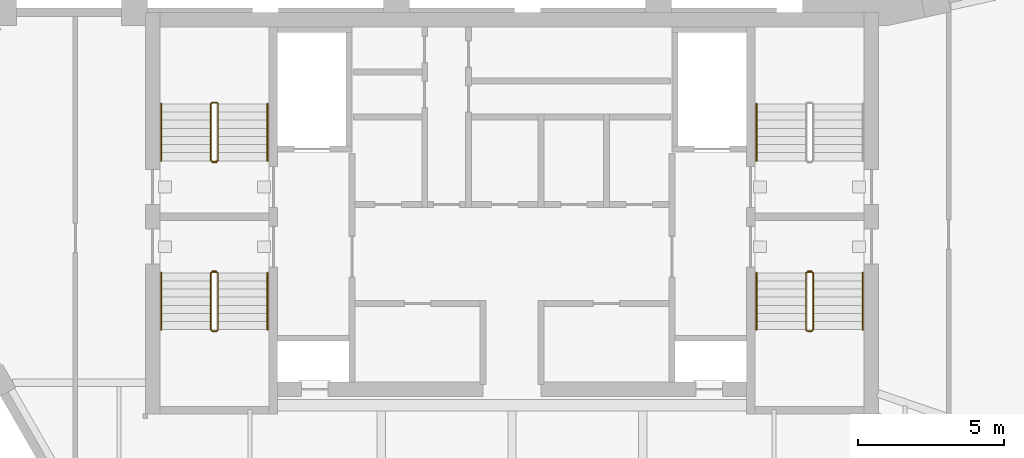
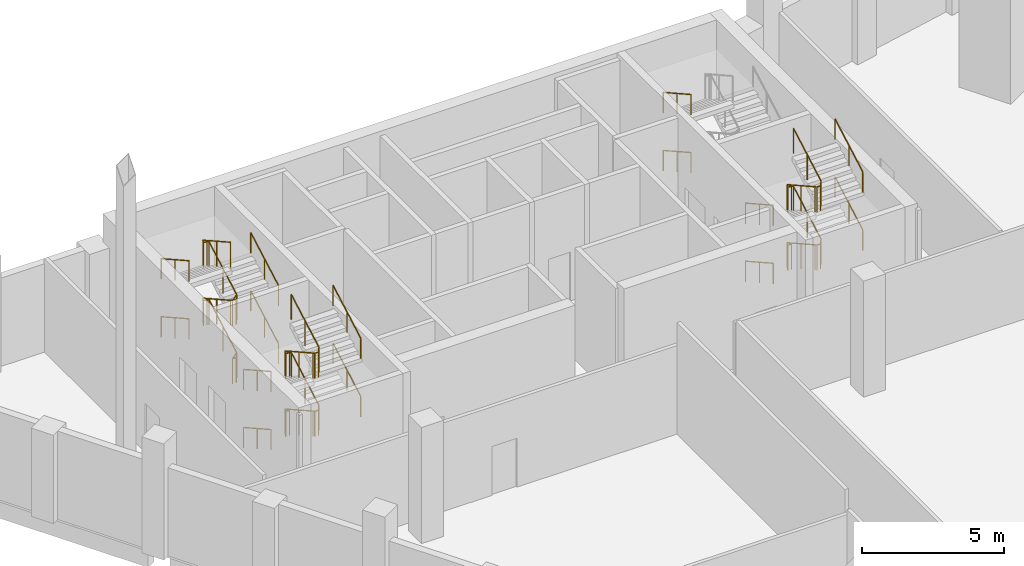
# One storey, part 10 of 11: 17 railings.
"""IFC4 building model written with IfcOpenShell, lengths in metres."""

from ifc_helpers import new_model, si_unit, direction, frame, origin, origin_2d, place, context, subcontext, project, spatial, circle, extrude, material, type_object, element, save


model = new_model("IFC4")

# Units and contexts
model_context = context("Model", 3, precision=1e-05, world=origin(), true_north=direction((0.0, 1.0)))
body_context = subcontext(model_context, "Body", "Model", "MODEL_VIEW")
ifc_project = project(units=[si_unit("LENGTHUNIT", "METRE"), si_unit("AREAUNIT", "SQUARE_METRE"), si_unit("VOLUMEUNIT", "CUBIC_METRE"), si_unit("PLANEANGLEUNIT", "RADIAN"), si_unit("MASSUNIT", "GRAM", prefix="KILO")], contexts=[model_context])

# Site, building, storey
site_placement = place(None, origin())
site = spatial("IfcSite", under=ifc_project, at=site_placement, CompositionType="ELEMENT")
building_placement = place(site_placement, origin())
building = spatial("IfcBuilding", under=site, at=building_placement, Name="Calabash Gate Tower", CompositionType="ELEMENT")
storey_placement = place(building_placement, frame((0.0, 0.0, 310.5)))
storey = spatial("IfcBuildingStorey", under=building, at=storey_placement, Name="L73", CompositionType="ELEMENT", Elevation=310.5)

# Railings
ifc_material_1 = material(Name="Black powder-coated steel balusters", Category="steel")
railing_type_1 = type_object("IfcRailingType", Name="Stair guard RL1100", PredefinedType="GUARDRAIL", material=ifc_material_1)
railing_1_placement = place(storey_placement, frame((-10.14990234375, 13.902587890625, 0.0)))
element("IfcRailing", 1, at=railing_1_placement, inside=storey, type_object=railing_type_1, Name="L73 ST1 stair guard 1", PredefinedType="GUARDRAIL", context=body_context, shape_type="SweptSolid", body=[
    extrude(circle(Radius=0.02392578125, at=origin_2d()), frame((0.0, 0.0, 1.076171875), z_axis=(-1.0, 0.0, 0.0), x_axis=(0.0, -1.0, 0.0)), (0.0, 0.0, 1.0), 0.150146484375),
    extrude(circle(Radius=0.02392578125, at=origin_2d()), frame((-0.150146484375, 0.0, 1.076171875), z_axis=(0.77305925043, 0.19350078918, 0.604100024756), x_axis=(-0.242814311512, 0.970072785993, 0.0)), (0.0, 0.0, 1.0), 0.258544921875),
    extrude(circle(Radius=0.02392578125, at=origin_2d()), frame((0.0498046875, 0.050048828125, 1.232421875), z_axis=(0.0, 0.872479975208, 0.48864986735), x_axis=(-1.0, 0.0, 0.0)), (0.0, 0.0, 1.0), 2.23828125),
    extrude(circle(Radius=0.02392578125, at=origin_2d()), frame((0.0498046875, 2.0029296875, 2.326171875), z_axis=(-0.705375805398, 0.708833529934, 0.0), x_axis=(-0.708833529934, -0.705375805398, 0.0)), (0.0, 0.0, 1.0), 0.070556640625),
    extrude(circle(Radius=0.02392578125, at=origin_2d()), frame((0.0, 2.052978515625, 2.326171875), z_axis=(-1.0, 0.0, 0.0), x_axis=(0.0, -1.0, 0.0)), (0.0, 0.0, 1.0), 0.150146484375),
    extrude(circle(Radius=0.02392578125, at=origin_2d()), frame((-0.150146484375, 2.052978515625, 2.326171875), z_axis=(-0.29177245553, -0.29177245553, 0.91089937336), x_axis=(0.707106781187, -0.707106781187, 0.0)), (0.0, 0.0, 1.0), 0.171630859375),
    extrude(circle(Radius=0.02392578125, at=origin_2d()), frame((-0.2001953125, 2.0029296875, 2.482421875), z_axis=(0.0, -0.872479975208, 0.48864986735), x_axis=(1.0, 0.0, 0.0)), (0.0, 0.0, 1.0), 2.23828125),
    extrude(circle(Radius=0.02392578125, at=origin_2d()), frame((-0.2001953125, 0.050048828125, 3.576171875), z_axis=(0.970142500145, -0.242535625036, 0.0), x_axis=(0.242535625036, 0.970142500145, 0.0)), (0.0, 0.0, 1.0), 0.206298828125),
    extrude(circle(Radius=0.02392578125, at=origin_2d()), frame((0.0, 0.0, 3.576171875), z_axis=(-1.0, 0.0, 0.0), x_axis=(0.0, -1.0, 0.0)), (0.0, 0.0, 1.0), 0.150146484375),
    extrude(circle(Radius=0.02392578125, at=origin_2d()), frame((-0.150146484375, 0.0, 3.576171875), z_axis=(0.77305925043, 0.19350078918, 0.604100024756), x_axis=(-0.242814311512, 0.970072785993, 0.0)), (0.0, 0.0, 1.0), 0.258544921875),
    extrude(circle(Radius=0.02392578125, at=origin_2d()), frame((0.0498046875, 0.050048828125, 3.732421875), z_axis=(0.0, 0.872479975208, 0.48864986735), x_axis=(-1.0, 0.0, 0.0)), (0.0, 0.0, 1.0), 2.23828125),
    extrude(circle(Radius=0.02392578125, at=origin_2d()), frame((0.0498046875, 2.0029296875, 4.826171875), z_axis=(-0.705375805398, 0.708833529934, 0.0), x_axis=(-0.708833529934, -0.705375805398, 0.0)), (0.0, 0.0, 1.0), 0.070556640625),
    extrude(circle(Radius=0.02392578125, at=origin_2d()), frame((0.0, 2.052978515625, 4.826171875), z_axis=(-1.0, 0.0, 0.0), x_axis=(0.0, -1.0, 0.0)), (0.0, 0.0, 1.0), 0.150146484375),
    extrude(circle(Radius=0.02392578125, at=origin_2d()), frame((-0.150146484375, 2.052978515625, 4.826171875), z_axis=(-0.29177245553, -0.29177245553, 0.91089937336), x_axis=(0.707106781187, -0.707106781187, 0.0)), (0.0, 0.0, 1.0), 0.171630859375),
    extrude(circle(Radius=0.02392578125, at=origin_2d()), frame((-0.2001953125, 2.0029296875, 4.982421875), z_axis=(0.0, -0.872479975208, 0.48864986735), x_axis=(1.0, 0.0, 0.0)), (0.0, 0.0, 1.0), 2.23828125),
    extrude(circle(Radius=0.02099609375, at=origin_2d()), origin(), (0.0, 0.0, 1.0), 1.052001953125),
    extrude(circle(Radius=0.02099609375, at=origin_2d()), frame((-0.150146484375, 0.0, 0.0)), (0.0, 0.0, 1.0), 1.052001953125),
    extrude(circle(Radius=0.02099609375, at=origin_2d()), frame((0.0498046875, 0.050048828125, 0.15625)), (0.0, 0.0, 1.0), 1.052001953125),
    extrude(circle(Radius=0.02099609375, at=origin_2d()), frame((0.0498046875, 1.0263671875, 0.703125)), (0.0, 0.0, 1.0), 1.052001953125),
    extrude(circle(Radius=0.02099609375, at=origin_2d()), frame((0.0498046875, 2.0029296875, 1.25)), (0.0, 0.0, 1.0), 1.052001953125),
    extrude(circle(Radius=0.02099609375, at=origin_2d()), frame((0.0, 2.052978515625, 1.25)), (0.0, 0.0, 1.0), 1.052001953125),
    extrude(circle(Radius=0.02099609375, at=origin_2d()), frame((-0.150146484375, 2.052978515625, 1.25)), (0.0, 0.0, 1.0), 1.052001953125),
    extrude(circle(Radius=0.02099609375, at=origin_2d()), frame((-0.2001953125, 2.0029296875, 1.40625)), (0.0, 0.0, 1.0), 1.052001953125),
    extrude(circle(Radius=0.02099609375, at=origin_2d()), frame((-0.2001953125, 1.0263671875, 1.953125)), (0.0, 0.0, 1.0), 1.052001953125),
    extrude(circle(Radius=0.02099609375, at=origin_2d()), frame((-0.2001953125, 0.050048828125, 2.5)), (0.0, 0.0, 1.0), 1.052001953125),
    extrude(circle(Radius=0.02099609375, at=origin_2d()), frame((0.0, 0.0, 2.5)), (0.0, 0.0, 1.0), 1.052001953125),
    extrude(circle(Radius=0.02099609375, at=origin_2d()), frame((-0.150146484375, 0.0, 2.5)), (0.0, 0.0, 1.0), 1.052001953125),
    extrude(circle(Radius=0.02099609375, at=origin_2d()), frame((0.0498046875, 0.050048828125, 2.65625)), (0.0, 0.0, 1.0), 1.052001953125),
    extrude(circle(Radius=0.02099609375, at=origin_2d()), frame((0.0498046875, 1.0263671875, 3.203125)), (0.0, 0.0, 1.0), 1.052001953125),
    extrude(circle(Radius=0.02099609375, at=origin_2d()), frame((0.0498046875, 2.0029296875, 3.75)), (0.0, 0.0, 1.0), 1.052001953125),
    extrude(circle(Radius=0.02099609375, at=origin_2d()), frame((0.0, 2.052978515625, 3.75)), (0.0, 0.0, 1.0), 1.052001953125),
    extrude(circle(Radius=0.02099609375, at=origin_2d()), frame((-0.150146484375, 2.052978515625, 3.75)), (0.0, 0.0, 1.0), 1.052001953125),
    extrude(circle(Radius=0.02099609375, at=origin_2d()), frame((-0.2001953125, 2.0029296875, 3.90625)), (0.0, 0.0, 1.0), 1.052001953125),
    extrude(circle(Radius=0.02099609375, at=origin_2d()), frame((-0.2001953125, 1.0263671875, 4.453125)), (0.0, 0.0, 1.0), 1.052001953125),
    extrude(circle(Radius=0.02099609375, at=origin_2d()), frame((-0.2001953125, 0.050048828125, 5.0)), (0.0, 0.0, 1.0), 1.052001953125),
])
railing_2_placement = place(storey_placement, frame((-10.300048828125, 10.152587890625, 0.0)))
element("IfcRailing", 2, at=railing_2_placement, inside=storey, type_object=railing_type_1, Name="L73 ST2 stair guard 1", PredefinedType="GUARDRAIL", context=body_context, shape_type="SweptSolid", body=[
    extrude(circle(Radius=0.02392578125, at=origin_2d()), frame((0.0, 0.0, 1.076171875), z_axis=(1.0, 0.0, 0.0), x_axis=(0.0, 1.0, 0.0)), (0.0, 0.0, 1.0), 0.150146484375),
    extrude(circle(Radius=0.02392578125, at=origin_2d()), frame((0.150146484375, 0.0, 1.076171875), z_axis=(-0.773438643492, -0.193359660873, 0.603659429067), x_axis=(0.242535625036, -0.970142500145, 0.0)), (0.0, 0.0, 1.0), 0.2587890625),
    extrude(circle(Radius=0.02392578125, at=origin_2d()), frame((-0.050048828125, -0.050048828125, 1.232421875), z_axis=(0.0, -0.872479975208, 0.48864986735), x_axis=(1.0, 0.0, 0.0)), (0.0, 0.0, 1.0), 2.23828125),
    extrude(circle(Radius=0.02392578125, at=origin_2d()), frame((-0.050048828125, -2.0029296875, 2.326171875), z_axis=(0.707106781187, -0.707106781187, 0.0), x_axis=(0.707106781187, 0.707106781187, 0.0)), (0.0, 0.0, 1.0), 0.07080078125),
    extrude(circle(Radius=0.02392578125, at=origin_2d()), frame((0.0, -2.052978515625, 2.326171875), z_axis=(1.0, 0.0, 0.0), x_axis=(0.0, 1.0, 0.0)), (0.0, 0.0, 1.0), 0.150146484375),
    extrude(circle(Radius=0.02392578125, at=origin_2d()), frame((0.150146484375, -2.052978515625, 2.326171875), z_axis=(0.290469530425, 0.291893400672, 0.911276958196), x_axis=(-0.708833529934, 0.705375805398, 0.0)), (0.0, 0.0, 1.0), 0.17138671875),
    extrude(circle(Radius=0.02392578125, at=origin_2d()), frame((0.199951171875, -2.0029296875, 2.482421875), z_axis=(0.0, 0.872479975208, 0.48864986735), x_axis=(-1.0, 0.0, 0.0)), (0.0, 0.0, 1.0), 2.23828125),
    extrude(circle(Radius=0.02392578125, at=origin_2d()), frame((0.199951171875, -0.050048828125, 3.576171875), z_axis=(-0.970072785993, 0.242814311512, 0.0), x_axis=(-0.242814311512, -0.970072785993, 0.0)), (0.0, 0.0, 1.0), 0.2060546875),
    extrude(circle(Radius=0.02392578125, at=origin_2d()), frame((0.0, 0.0, 3.576171875), z_axis=(1.0, 0.0, 0.0), x_axis=(0.0, 1.0, 0.0)), (0.0, 0.0, 1.0), 0.150146484375),
    extrude(circle(Radius=0.02392578125, at=origin_2d()), frame((0.150146484375, 0.0, 3.576171875), z_axis=(-0.773438643492, -0.193359660873, 0.603659429067), x_axis=(0.242535625036, -0.970142500145, 0.0)), (0.0, 0.0, 1.0), 0.2587890625),
    extrude(circle(Radius=0.02392578125, at=origin_2d()), frame((-0.050048828125, -0.050048828125, 3.732421875), z_axis=(0.0, -0.872479975208, 0.48864986735), x_axis=(1.0, 0.0, 0.0)), (0.0, 0.0, 1.0), 2.23828125),
    extrude(circle(Radius=0.02392578125, at=origin_2d()), frame((-0.050048828125, -2.0029296875, 4.826171875), z_axis=(0.707106781187, -0.707106781187, 0.0), x_axis=(0.707106781187, 0.707106781187, 0.0)), (0.0, 0.0, 1.0), 0.07080078125),
    extrude(circle(Radius=0.02392578125, at=origin_2d()), frame((0.0, -2.052978515625, 4.826171875), z_axis=(1.0, 0.0, 0.0), x_axis=(0.0, 1.0, 0.0)), (0.0, 0.0, 1.0), 0.150146484375),
    extrude(circle(Radius=0.02392578125, at=origin_2d()), frame((0.150146484375, -2.052978515625, 4.826171875), z_axis=(0.290469530425, 0.291893400672, 0.911276958196), x_axis=(-0.708833529934, 0.705375805398, 0.0)), (0.0, 0.0, 1.0), 0.17138671875),
    extrude(circle(Radius=0.02392578125, at=origin_2d()), frame((0.199951171875, -2.0029296875, 4.982421875), z_axis=(0.0, 0.872479975208, 0.48864986735), x_axis=(-1.0, 0.0, 0.0)), (0.0, 0.0, 1.0), 2.23828125),
    extrude(circle(Radius=0.02099609375, at=origin_2d()), origin(), (0.0, 0.0, 1.0), 1.052001953125),
    extrude(circle(Radius=0.02099609375, at=origin_2d()), frame((0.150146484375, 0.0, 0.0)), (0.0, 0.0, 1.0), 1.052001953125),
    extrude(circle(Radius=0.02099609375, at=origin_2d()), frame((-0.050048828125, -0.050048828125, 0.15625)), (0.0, 0.0, 1.0), 1.052001953125),
    extrude(circle(Radius=0.02099609375, at=origin_2d()), frame((-0.050048828125, -1.0263671875, 0.703125)), (0.0, 0.0, 1.0), 1.052001953125),
    extrude(circle(Radius=0.02099609375, at=origin_2d()), frame((-0.050048828125, -2.0029296875, 1.25)), (0.0, 0.0, 1.0), 1.052001953125),
    extrude(circle(Radius=0.02099609375, at=origin_2d()), frame((0.0, -2.052978515625, 1.25)), (0.0, 0.0, 1.0), 1.052001953125),
    extrude(circle(Radius=0.02099609375, at=origin_2d()), frame((0.150146484375, -2.052978515625, 1.25)), (0.0, 0.0, 1.0), 1.052001953125),
    extrude(circle(Radius=0.02099609375, at=origin_2d()), frame((0.199951171875, -2.0029296875, 1.40625)), (0.0, 0.0, 1.0), 1.052001953125),
    extrude(circle(Radius=0.02099609375, at=origin_2d()), frame((0.199951171875, -1.0263671875, 1.953125)), (0.0, 0.0, 1.0), 1.052001953125),
    extrude(circle(Radius=0.02099609375, at=origin_2d()), frame((0.199951171875, -0.050048828125, 2.5)), (0.0, 0.0, 1.0), 1.052001953125),
    extrude(circle(Radius=0.02099609375, at=origin_2d()), frame((0.0, 0.0, 2.5)), (0.0, 0.0, 1.0), 1.052001953125),
    extrude(circle(Radius=0.02099609375, at=origin_2d()), frame((0.150146484375, 0.0, 2.5)), (0.0, 0.0, 1.0), 1.052001953125),
    extrude(circle(Radius=0.02099609375, at=origin_2d()), frame((-0.050048828125, -0.050048828125, 2.65625)), (0.0, 0.0, 1.0), 1.052001953125),
    extrude(circle(Radius=0.02099609375, at=origin_2d()), frame((-0.050048828125, -1.0263671875, 3.203125)), (0.0, 0.0, 1.0), 1.052001953125),
    extrude(circle(Radius=0.02099609375, at=origin_2d()), frame((-0.050048828125, -2.0029296875, 3.75)), (0.0, 0.0, 1.0), 1.052001953125),
    extrude(circle(Radius=0.02099609375, at=origin_2d()), frame((0.0, -2.052978515625, 3.75)), (0.0, 0.0, 1.0), 1.052001953125),
    extrude(circle(Radius=0.02099609375, at=origin_2d()), frame((0.150146484375, -2.052978515625, 3.75)), (0.0, 0.0, 1.0), 1.052001953125),
    extrude(circle(Radius=0.02099609375, at=origin_2d()), frame((0.199951171875, -2.0029296875, 3.90625)), (0.0, 0.0, 1.0), 1.052001953125),
    extrude(circle(Radius=0.02099609375, at=origin_2d()), frame((0.199951171875, -1.0263671875, 4.453125)), (0.0, 0.0, 1.0), 1.052001953125),
    extrude(circle(Radius=0.02099609375, at=origin_2d()), frame((0.199951171875, -0.050048828125, 5.0)), (0.0, 0.0, 1.0), 1.052001953125),
])
railing_3_placement = place(storey_placement, frame((10.14990234375, 10.152587890625, 0.0)))
element("IfcRailing", 3, at=railing_3_placement, inside=storey, type_object=railing_type_1, Name="L73 ST4 stair guard 1", PredefinedType="GUARDRAIL", context=body_context, shape_type="SweptSolid", body=[
    extrude(circle(Radius=0.02392578125, at=origin_2d()), frame((0.0, 0.0, 1.076171875), z_axis=(1.0, 0.0, 0.0), x_axis=(0.0, 1.0, 0.0)), (0.0, 0.0, 1.0), 0.150146484375),
    extrude(circle(Radius=0.02392578125, at=origin_2d()), frame((0.150146484375, 0.0, 1.076171875), z_axis=(-0.77305925043, -0.19350078918, 0.604100024756), x_axis=(0.242814311512, -0.970072785993, 0.0)), (0.0, 0.0, 1.0), 0.258544921875),
    extrude(circle(Radius=0.02392578125, at=origin_2d()), frame((-0.0498046875, -0.050048828125, 1.232421875), z_axis=(0.0, -0.872479975208, 0.48864986735), x_axis=(1.0, 0.0, 0.0)), (0.0, 0.0, 1.0), 2.23828125),
    extrude(circle(Radius=0.02392578125, at=origin_2d()), frame((-0.0498046875, -2.0029296875, 2.326171875), z_axis=(0.705375805398, -0.708833529934, 0.0), x_axis=(0.708833529934, 0.705375805398, 0.0)), (0.0, 0.0, 1.0), 0.070556640625),
    extrude(circle(Radius=0.02392578125, at=origin_2d()), frame((0.0, -2.052978515625, 2.326171875), z_axis=(1.0, 0.0, 0.0), x_axis=(0.0, 1.0, 0.0)), (0.0, 0.0, 1.0), 0.150146484375),
    extrude(circle(Radius=0.02392578125, at=origin_2d()), frame((0.150146484375, -2.052978515625, 2.326171875), z_axis=(0.29177245553, 0.29177245553, 0.91089937336), x_axis=(-0.707106781187, 0.707106781187, 0.0)), (0.0, 0.0, 1.0), 0.171630859375),
    extrude(circle(Radius=0.02392578125, at=origin_2d()), frame((0.2001953125, -2.0029296875, 2.482421875), z_axis=(0.0, 0.872479975208, 0.48864986735), x_axis=(-1.0, 0.0, 0.0)), (0.0, 0.0, 1.0), 2.23828125),
    extrude(circle(Radius=0.02392578125, at=origin_2d()), frame((0.2001953125, -0.050048828125, 3.576171875), z_axis=(-0.970142500145, 0.242535625036, 0.0), x_axis=(-0.242535625036, -0.970142500145, 0.0)), (0.0, 0.0, 1.0), 0.206298828125),
    extrude(circle(Radius=0.02392578125, at=origin_2d()), frame((0.0, 0.0, 3.576171875), z_axis=(1.0, 0.0, 0.0), x_axis=(0.0, 1.0, 0.0)), (0.0, 0.0, 1.0), 0.150146484375),
    extrude(circle(Radius=0.02392578125, at=origin_2d()), frame((0.150146484375, 0.0, 3.576171875), z_axis=(-0.77305925043, -0.19350078918, 0.604100024756), x_axis=(0.242814311512, -0.970072785993, 0.0)), (0.0, 0.0, 1.0), 0.258544921875),
    extrude(circle(Radius=0.02392578125, at=origin_2d()), frame((-0.0498046875, -0.050048828125, 3.732421875), z_axis=(0.0, -0.872479975208, 0.48864986735), x_axis=(1.0, 0.0, 0.0)), (0.0, 0.0, 1.0), 2.23828125),
    extrude(circle(Radius=0.02392578125, at=origin_2d()), frame((-0.0498046875, -2.0029296875, 4.826171875), z_axis=(0.705375805398, -0.708833529934, 0.0), x_axis=(0.708833529934, 0.705375805398, 0.0)), (0.0, 0.0, 1.0), 0.070556640625),
    extrude(circle(Radius=0.02392578125, at=origin_2d()), frame((0.0, -2.052978515625, 4.826171875), z_axis=(1.0, 0.0, 0.0), x_axis=(0.0, 1.0, 0.0)), (0.0, 0.0, 1.0), 0.150146484375),
    extrude(circle(Radius=0.02392578125, at=origin_2d()), frame((0.150146484375, -2.052978515625, 4.826171875), z_axis=(0.29177245553, 0.29177245553, 0.91089937336), x_axis=(-0.707106781187, 0.707106781187, 0.0)), (0.0, 0.0, 1.0), 0.171630859375),
    extrude(circle(Radius=0.02392578125, at=origin_2d()), frame((0.2001953125, -2.0029296875, 4.982421875), z_axis=(0.0, 0.872479975208, 0.48864986735), x_axis=(-1.0, 0.0, 0.0)), (0.0, 0.0, 1.0), 2.23828125),
    extrude(circle(Radius=0.02099609375, at=origin_2d()), origin(), (0.0, 0.0, 1.0), 1.052001953125),
    extrude(circle(Radius=0.02099609375, at=origin_2d()), frame((0.150146484375, 0.0, 0.0)), (0.0, 0.0, 1.0), 1.052001953125),
    extrude(circle(Radius=0.02099609375, at=origin_2d()), frame((-0.0498046875, -0.050048828125, 0.15625)), (0.0, 0.0, 1.0), 1.052001953125),
    extrude(circle(Radius=0.02099609375, at=origin_2d()), frame((-0.0498046875, -1.0263671875, 0.703125)), (0.0, 0.0, 1.0), 1.052001953125),
    extrude(circle(Radius=0.02099609375, at=origin_2d()), frame((-0.0498046875, -2.0029296875, 1.25)), (0.0, 0.0, 1.0), 1.052001953125),
    extrude(circle(Radius=0.02099609375, at=origin_2d()), frame((0.0, -2.052978515625, 1.25)), (0.0, 0.0, 1.0), 1.052001953125),
    extrude(circle(Radius=0.02099609375, at=origin_2d()), frame((0.150146484375, -2.052978515625, 1.25)), (0.0, 0.0, 1.0), 1.052001953125),
    extrude(circle(Radius=0.02099609375, at=origin_2d()), frame((0.2001953125, -2.0029296875, 1.40625)), (0.0, 0.0, 1.0), 1.052001953125),
    extrude(circle(Radius=0.02099609375, at=origin_2d()), frame((0.2001953125, -1.0263671875, 1.953125)), (0.0, 0.0, 1.0), 1.052001953125),
    extrude(circle(Radius=0.02099609375, at=origin_2d()), frame((0.2001953125, -0.050048828125, 2.5)), (0.0, 0.0, 1.0), 1.052001953125),
    extrude(circle(Radius=0.02099609375, at=origin_2d()), frame((0.0, 0.0, 2.5)), (0.0, 0.0, 1.0), 1.052001953125),
    extrude(circle(Radius=0.02099609375, at=origin_2d()), frame((0.150146484375, 0.0, 2.5)), (0.0, 0.0, 1.0), 1.052001953125),
    extrude(circle(Radius=0.02099609375, at=origin_2d()), frame((-0.0498046875, -0.050048828125, 2.65625)), (0.0, 0.0, 1.0), 1.052001953125),
    extrude(circle(Radius=0.02099609375, at=origin_2d()), frame((-0.0498046875, -1.0263671875, 3.203125)), (0.0, 0.0, 1.0), 1.052001953125),
    extrude(circle(Radius=0.02099609375, at=origin_2d()), frame((-0.0498046875, -2.0029296875, 3.75)), (0.0, 0.0, 1.0), 1.052001953125),
    extrude(circle(Radius=0.02099609375, at=origin_2d()), frame((0.0, -2.052978515625, 3.75)), (0.0, 0.0, 1.0), 1.052001953125),
    extrude(circle(Radius=0.02099609375, at=origin_2d()), frame((0.150146484375, -2.052978515625, 3.75)), (0.0, 0.0, 1.0), 1.052001953125),
    extrude(circle(Radius=0.02099609375, at=origin_2d()), frame((0.2001953125, -2.0029296875, 3.90625)), (0.0, 0.0, 1.0), 1.052001953125),
    extrude(circle(Radius=0.02099609375, at=origin_2d()), frame((0.2001953125, -1.0263671875, 4.453125)), (0.0, 0.0, 1.0), 1.052001953125),
    extrude(circle(Radius=0.02099609375, at=origin_2d()), frame((0.2001953125, -0.050048828125, 5.0)), (0.0, 0.0, 1.0), 1.052001953125),
])
ifc_material_2 = material(Name="Black powder-coated steel tube 48 mm", Category="steel")
railing_type_2 = type_object("IfcRailingType", Name="Stair handrail RL900", PredefinedType="HANDRAIL", material=ifc_material_2)
railing_4_placement = place(storey_placement, frame((-8.39990234375, 13.95263671875, 0.15625)))
element("IfcRailing", 4, at=railing_4_placement, inside=storey, type_object=railing_type_2, Name="L73 ST1 stair handrail 1", PredefinedType="HANDRAIL", context=body_context, shape_type="SweptSolid", body=[
    extrude(circle(Radius=0.02392578125, at=origin_2d()), frame((0.0, 0.0, 0.8759765625), z_axis=(0.0, 0.872479975208, 0.48864986735), x_axis=(-1.0, 0.0, 0.0)), (0.0, 0.0, 1.0), 2.23828125),
    extrude(circle(Radius=0.02099609375, at=origin_2d()), origin(), (0.0, 0.0, 1.0), 0.851806640625),
    extrude(circle(Radius=0.02099609375, at=origin_2d()), frame((0.0, 0.9765625, 0.546875)), (0.0, 0.0, 1.0), 0.851806640625),
    extrude(circle(Radius=0.02099609375, at=origin_2d()), frame((0.0, 1.952880859375, 1.09375)), (0.0, 0.0, 1.0), 0.851806640625),
])
railing_5_placement = place(storey_placement, frame((-12.050048828125, 15.905517578125, 1.40625)))
element("IfcRailing", 5, at=railing_5_placement, inside=storey, type_object=railing_type_2, Name="L73 ST1 stair handrail 2", PredefinedType="HANDRAIL", context=body_context, shape_type="SweptSolid", body=[
    extrude(circle(Radius=0.02392578125, at=origin_2d()), frame((0.0, 0.0, 0.8759765625), z_axis=(0.0, -0.872479975208, 0.48864986735), x_axis=(1.0, 0.0, 0.0)), (0.0, 0.0, 1.0), 2.23828125),
    extrude(circle(Radius=0.02099609375, at=origin_2d()), origin(), (0.0, 0.0, 1.0), 0.851806640625),
    extrude(circle(Radius=0.02099609375, at=origin_2d()), frame((0.0, -0.9765625, 0.546875)), (0.0, 0.0, 1.0), 0.851806640625),
    extrude(circle(Radius=0.02099609375, at=origin_2d()), frame((0.0, -1.952880859375, 1.09375)), (0.0, 0.0, 1.0), 0.851806640625),
])
railing_6_placement = place(storey_placement, frame((-8.39990234375, 13.95263671875, 2.65625)))
element("IfcRailing", 6, at=railing_6_placement, inside=storey, type_object=railing_type_2, Name="L73 ST1 stair handrail 3", PredefinedType="HANDRAIL", context=body_context, shape_type="SweptSolid", body=[
    extrude(circle(Radius=0.02392578125, at=origin_2d()), frame((0.0, 0.0, 0.8759765625), z_axis=(0.0, 0.872479975208, 0.48864986735), x_axis=(-1.0, 0.0, 0.0)), (0.0, 0.0, 1.0), 2.23828125),
    extrude(circle(Radius=0.02099609375, at=origin_2d()), origin(), (0.0, 0.0, 1.0), 0.851806640625),
    extrude(circle(Radius=0.02099609375, at=origin_2d()), frame((0.0, 0.9765625, 0.546875)), (0.0, 0.0, 1.0), 0.851806640625),
    extrude(circle(Radius=0.02099609375, at=origin_2d()), frame((0.0, 1.952880859375, 1.09375)), (0.0, 0.0, 1.0), 0.851806640625),
])
for number, where, name in (
    (7, (-12.050048828125, 15.905517578125, 3.90625), "L73 ST1 stair handrail 4"),
    (8, (-12.050048828125, 10.1025390625, 0.15625), "L73 ST2 stair handrail 1"),
):
    element("IfcRailing", number, at=place(storey_placement, frame(where)), inside=storey, type_object=railing_type_2, Name=name, PredefinedType="HANDRAIL", context=body_context, shape_type="SweptSolid", body=[
        extrude(circle(Radius=0.02392578125, at=origin_2d()), frame((0.0, 0.0, 0.8759765625), z_axis=(0.0, -0.872479975208, 0.48864986735), x_axis=(1.0, 0.0, 0.0)), (0.0, 0.0, 1.0), 2.23828125),
        extrude(circle(Radius=0.02099609375, at=origin_2d()), origin(), (0.0, 0.0, 1.0), 0.851806640625),
        extrude(circle(Radius=0.02099609375, at=origin_2d()), frame((0.0, -0.9765625, 0.546875)), (0.0, 0.0, 1.0), 0.851806640625),
        extrude(circle(Radius=0.02099609375, at=origin_2d()), frame((0.0, -1.952880859375, 1.09375)), (0.0, 0.0, 1.0), 0.851806640625),
    ])
railing_7_placement = place(storey_placement, frame((-8.39990234375, 8.149658203125, 1.40625)))
element("IfcRailing", 9, at=railing_7_placement, inside=storey, type_object=railing_type_2, Name="L73 ST2 stair handrail 2", PredefinedType="HANDRAIL", context=body_context, shape_type="SweptSolid", body=[
    extrude(circle(Radius=0.02392578125, at=origin_2d()), frame((0.0, 0.0, 0.8759765625), z_axis=(0.0, 0.872479975208, 0.48864986735), x_axis=(-1.0, 0.0, 0.0)), (0.0, 0.0, 1.0), 2.23828125),
    extrude(circle(Radius=0.02099609375, at=origin_2d()), origin(), (0.0, 0.0, 1.0), 0.851806640625),
    extrude(circle(Radius=0.02099609375, at=origin_2d()), frame((0.0, 0.9765625, 0.546875)), (0.0, 0.0, 1.0), 0.851806640625),
    extrude(circle(Radius=0.02099609375, at=origin_2d()), frame((0.0, 1.952880859375, 1.09375)), (0.0, 0.0, 1.0), 0.851806640625),
])
railing_8_placement = place(storey_placement, frame((-12.050048828125, 10.1025390625, 2.65625)))
element("IfcRailing", 10, at=railing_8_placement, inside=storey, type_object=railing_type_2, Name="L73 ST2 stair handrail 3", PredefinedType="HANDRAIL", context=body_context, shape_type="SweptSolid", body=[
    extrude(circle(Radius=0.02392578125, at=origin_2d()), frame((0.0, 0.0, 0.8759765625), z_axis=(0.0, -0.872479975208, 0.48864986735), x_axis=(1.0, 0.0, 0.0)), (0.0, 0.0, 1.0), 2.23828125),
    extrude(circle(Radius=0.02099609375, at=origin_2d()), origin(), (0.0, 0.0, 1.0), 0.851806640625),
    extrude(circle(Radius=0.02099609375, at=origin_2d()), frame((0.0, -0.9765625, 0.546875)), (0.0, 0.0, 1.0), 0.851806640625),
    extrude(circle(Radius=0.02099609375, at=origin_2d()), frame((0.0, -1.952880859375, 1.09375)), (0.0, 0.0, 1.0), 0.851806640625),
])
railing_9_placement = place(storey_placement, frame((-8.39990234375, 8.149658203125, 3.90625)))
element("IfcRailing", 11, at=railing_9_placement, inside=storey, type_object=railing_type_2, Name="L73 ST2 stair handrail 4", PredefinedType="HANDRAIL", context=body_context, shape_type="SweptSolid", body=[
    extrude(circle(Radius=0.02392578125, at=origin_2d()), frame((0.0, 0.0, 0.8759765625), z_axis=(0.0, 0.872479975208, 0.48864986735), x_axis=(-1.0, 0.0, 0.0)), (0.0, 0.0, 1.0), 2.23828125),
    extrude(circle(Radius=0.02099609375, at=origin_2d()), origin(), (0.0, 0.0, 1.0), 0.851806640625),
    extrude(circle(Radius=0.02099609375, at=origin_2d()), frame((0.0, 0.9765625, 0.546875)), (0.0, 0.0, 1.0), 0.851806640625),
    extrude(circle(Radius=0.02099609375, at=origin_2d()), frame((0.0, 1.952880859375, 1.09375)), (0.0, 0.0, 1.0), 0.851806640625),
])
for number, where, name in (
    (12, (8.39990234375, 15.905517578125, 1.40625), "L73 ST3 stair handrail 2"),
    (13, (8.39990234375, 15.905517578125, 3.90625), "L73 ST3 stair handrail 4"),
    (14, (8.39990234375, 10.1025390625, 0.15625), "L73 ST4 stair handrail 1"),
):
    element("IfcRailing", number, at=place(storey_placement, frame(where)), inside=storey, type_object=railing_type_2, Name=name, PredefinedType="HANDRAIL", context=body_context, shape_type="SweptSolid", body=[
        extrude(circle(Radius=0.02392578125, at=origin_2d()), frame((0.0, 0.0, 0.8759765625), z_axis=(0.0, -0.872479975208, 0.48864986735), x_axis=(1.0, 0.0, 0.0)), (0.0, 0.0, 1.0), 2.23828125),
        extrude(circle(Radius=0.02099609375, at=origin_2d()), origin(), (0.0, 0.0, 1.0), 0.851806640625),
        extrude(circle(Radius=0.02099609375, at=origin_2d()), frame((0.0, -0.9765625, 0.546875)), (0.0, 0.0, 1.0), 0.851806640625),
        extrude(circle(Radius=0.02099609375, at=origin_2d()), frame((0.0, -1.952880859375, 1.09375)), (0.0, 0.0, 1.0), 0.851806640625),
    ])
railing_10_placement = place(storey_placement, frame((12.050048828125, 8.149658203125, 1.40625)))
element("IfcRailing", 15, at=railing_10_placement, inside=storey, type_object=railing_type_2, Name="L73 ST4 stair handrail 2", PredefinedType="HANDRAIL", context=body_context, shape_type="SweptSolid", body=[
    extrude(circle(Radius=0.02392578125, at=origin_2d()), frame((0.0, 0.0, 0.8759765625), z_axis=(0.0, 0.872479975208, 0.48864986735), x_axis=(-1.0, 0.0, 0.0)), (0.0, 0.0, 1.0), 2.23828125),
    extrude(circle(Radius=0.02099609375, at=origin_2d()), origin(), (0.0, 0.0, 1.0), 0.851806640625),
    extrude(circle(Radius=0.02099609375, at=origin_2d()), frame((0.0, 0.9765625, 0.546875)), (0.0, 0.0, 1.0), 0.851806640625),
    extrude(circle(Radius=0.02099609375, at=origin_2d()), frame((0.0, 1.952880859375, 1.09375)), (0.0, 0.0, 1.0), 0.851806640625),
])
railing_11_placement = place(storey_placement, frame((8.39990234375, 10.1025390625, 2.65625)))
element("IfcRailing", 16, at=railing_11_placement, inside=storey, type_object=railing_type_2, Name="L73 ST4 stair handrail 3", PredefinedType="HANDRAIL", context=body_context, shape_type="SweptSolid", body=[
    extrude(circle(Radius=0.02392578125, at=origin_2d()), frame((0.0, 0.0, 0.8759765625), z_axis=(0.0, -0.872479975208, 0.48864986735), x_axis=(1.0, 0.0, 0.0)), (0.0, 0.0, 1.0), 2.23828125),
    extrude(circle(Radius=0.02099609375, at=origin_2d()), origin(), (0.0, 0.0, 1.0), 0.851806640625),
    extrude(circle(Radius=0.02099609375, at=origin_2d()), frame((0.0, -0.9765625, 0.546875)), (0.0, 0.0, 1.0), 0.851806640625),
    extrude(circle(Radius=0.02099609375, at=origin_2d()), frame((0.0, -1.952880859375, 1.09375)), (0.0, 0.0, 1.0), 0.851806640625),
])
railing_12_placement = place(storey_placement, frame((12.050048828125, 8.149658203125, 3.90625)))
element("IfcRailing", 17, at=railing_12_placement, inside=storey, type_object=railing_type_2, Name="L73 ST4 stair handrail 4", PredefinedType="HANDRAIL", context=body_context, shape_type="SweptSolid", body=[
    extrude(circle(Radius=0.02392578125, at=origin_2d()), frame((0.0, 0.0, 0.8759765625), z_axis=(0.0, 0.872479975208, 0.48864986735), x_axis=(-1.0, 0.0, 0.0)), (0.0, 0.0, 1.0), 2.23828125),
    extrude(circle(Radius=0.02099609375, at=origin_2d()), origin(), (0.0, 0.0, 1.0), 0.851806640625),
    extrude(circle(Radius=0.02099609375, at=origin_2d()), frame((0.0, 0.9765625, 0.546875)), (0.0, 0.0, 1.0), 0.851806640625),
    extrude(circle(Radius=0.02099609375, at=origin_2d()), frame((0.0, 1.952880859375, 1.09375)), (0.0, 0.0, 1.0), 0.851806640625),
])

save(model, "model.ifc")
